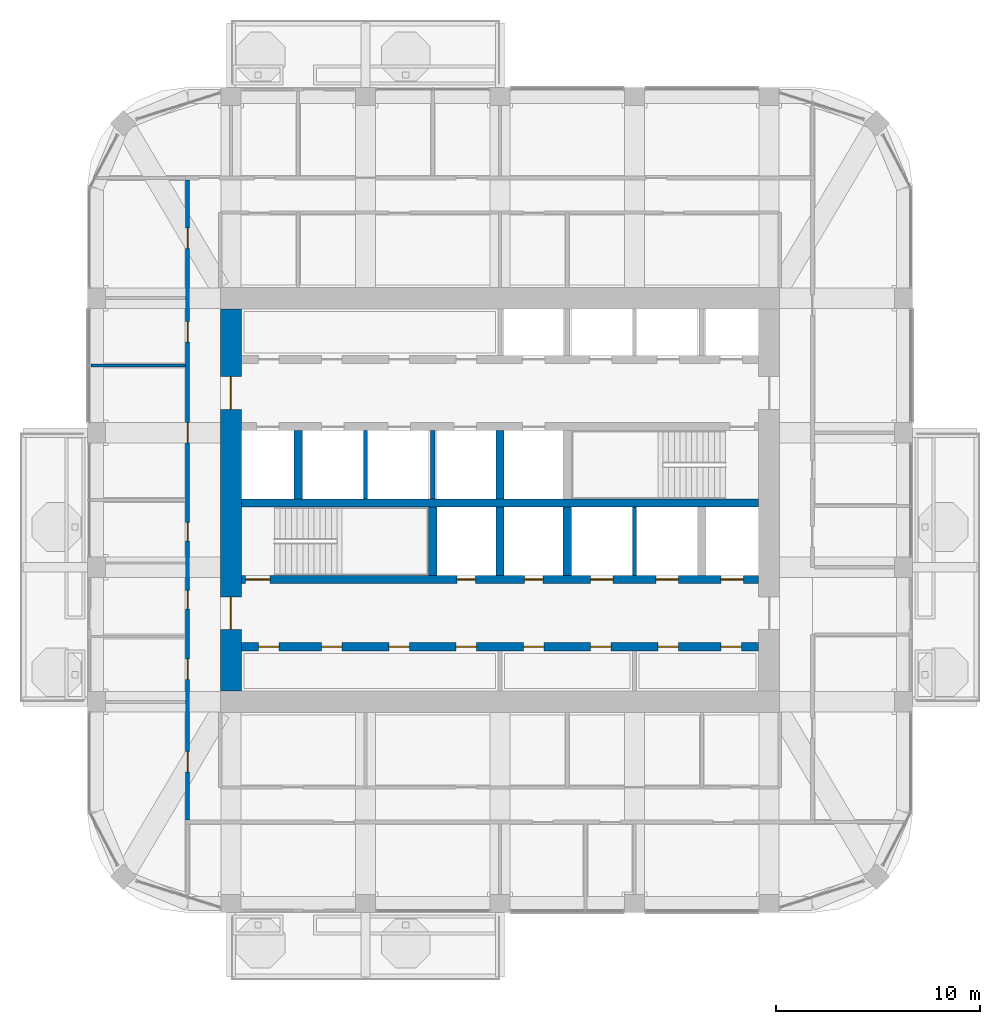
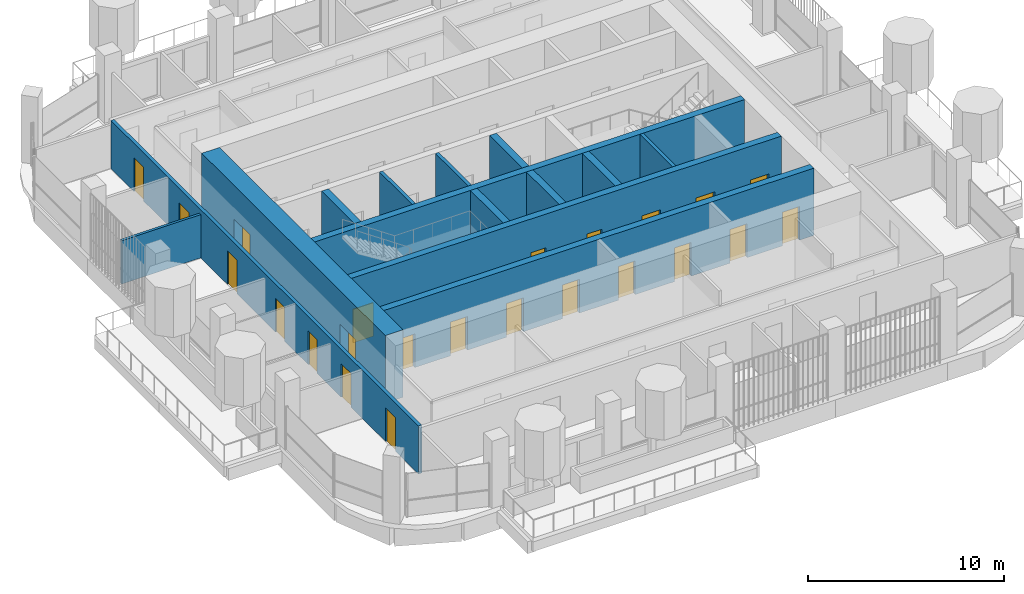
# One storey, part 12 of 18: 23 doors, 14 walls, 23 openings.
"""IFC4 building model written with IfcOpenShell, lengths in metres."""

from ifc_helpers import new_model, si_unit, direction, frame, frame_2d, origin, place, context, subcontext, project, spatial, rectangle, extrude, material, layer, layer_set, type_object, element, fill, save


model = new_model("IFC4")

# Units and contexts
model_context = context("Model", 3, precision=1e-05, world=origin(), true_north=direction((0.0, 1.0)))
body_context = subcontext(model_context, "Body", "Model", "MODEL_VIEW")
ifc_project = project(units=[si_unit("LENGTHUNIT", "METRE"), si_unit("AREAUNIT", "SQUARE_METRE"), si_unit("VOLUMEUNIT", "CUBIC_METRE"), si_unit("PLANEANGLEUNIT", "RADIAN"), si_unit("MASSUNIT", "GRAM", prefix="KILO")], contexts=[model_context])

# Site, building, storey
site_placement = place(None, origin())
site = spatial("IfcSite", under=ifc_project, at=site_placement, CompositionType="ELEMENT")
building_placement = place(site_placement, origin())
building = spatial("IfcBuilding", under=site, at=building_placement, Name="Cobogo Forest Laboratory Tower", CompositionType="ELEMENT")
storey_placement = place(building_placement, frame((0.0, 0.0, 271.199951171875)))
storey = spatial("IfcBuildingStorey", under=building, at=storey_placement, Name="L62", CompositionType="ELEMENT", Elevation=271.199951171875)

# Wall, openings, doors
ifc_material_1 = material(Name="Concrete HA-50 (C50/60)", Category="concrete")
ifc_layer_1 = layer(ifc_material_1, 0.39990234375)
ifc_layer_set_1 = layer_set([ifc_layer_1], Name="CI400 core inner wall 400")
wall_type_1 = type_object("IfcWallType", Name="CI400 core inner wall 400", PredefinedType="SHEAR", material=ifc_layer_set_1)
wall_1_placement = place(storey_placement, frame((13.72509765625, 15.89990234375, 0.0), z_axis=(0.0, 0.0, 1.0), x_axis=(1.0, 0.0, 0.0)))
wall_1 = element("IfcWall", 1, at=wall_1_placement, inside=storey, type_object=wall_type_1, Name="Core wall CI-15.9 L62", PredefinedType="SHEAR", context=body_context, shape_type="SweptSolid", body=[
    extrude(rectangle(XDim=25.349853515625, YDim=0.39990234375, at=frame_2d((12.6748046875, 0.0))), origin(), (0.0, 0.0, 1.0), 4.199951171875),
])
opening_1_placement = place(wall_1_placement, frame((0.83740234375, 0.0, 0.0)))
opening_1 = element("IfcOpeningElement", 2, at=opening_1_placement, cuts=wall_1, Name="Opening L62-D13", PredefinedType="OPENING", context=body_context, shape_type="SweptSolid", body=[
    extrude(rectangle(XDim=1.0, YDim=2.10009765625, at=frame_2d((0.5, 1.050048828125))), frame((0.0, 0.2099609375, 0.0), z_axis=(0.0, -1.0, 0.0), x_axis=(1.0, 0.0, 0.0)), (0.0, 0.0, 1.0), 0.419921875),
])
opening_2_placement = place(wall_1_placement, frame((3.925048828125, 0.0, 0.0)))
opening_2 = element("IfcOpeningElement", 3, at=opening_2_placement, cuts=wall_1, Name="Opening L62-D14", PredefinedType="OPENING", context=body_context, shape_type="SweptSolid", body=[
    extrude(rectangle(XDim=1.0, YDim=2.10009765625, at=frame_2d((0.5, 1.050048828125))), frame((0.0, 0.2099609375, 0.0), z_axis=(0.0, -1.0, 0.0), x_axis=(1.0, 0.0, 0.0)), (0.0, 0.0, 1.0), 0.419921875),
])
opening_3_placement = place(wall_1_placement, frame((7.22509765625, 0.0, 0.0)))
opening_3 = element("IfcOpeningElement", 4, at=opening_3_placement, cuts=wall_1, Name="Opening L62-D15", PredefinedType="OPENING", context=body_context, shape_type="SweptSolid", body=[
    extrude(rectangle(XDim=1.0, YDim=2.10009765625, at=frame_2d((0.5, 1.050048828125))), frame((0.0, 0.2099609375, 0.0), z_axis=(0.0, -1.0, 0.0), x_axis=(1.0, 0.0, 0.0)), (0.0, 0.0, 1.0), 0.419921875),
])
opening_4_placement = place(wall_1_placement, frame((10.52490234375, 0.0, 0.0)))
opening_4 = element("IfcOpeningElement", 5, at=opening_4_placement, cuts=wall_1, Name="Opening L62-D16", PredefinedType="OPENING", context=body_context, shape_type="SweptSolid", body=[
    extrude(rectangle(XDim=1.0, YDim=2.10009765625, at=frame_2d((0.5, 1.050048828125))), frame((0.0, 0.2099609375, 0.0), z_axis=(0.0, -1.0, 0.0), x_axis=(1.0, 0.0, 0.0)), (0.0, 0.0, 1.0), 0.419921875),
])
opening_5_placement = place(wall_1_placement, frame((13.824951171875, 0.0, 0.0)))
opening_5 = element("IfcOpeningElement", 6, at=opening_5_placement, cuts=wall_1, Name="Opening L62-D17", PredefinedType="OPENING", context=body_context, shape_type="SweptSolid", body=[
    extrude(rectangle(XDim=1.0, YDim=2.10009765625, at=frame_2d((0.5, 1.050048828125))), frame((0.0, 0.2099609375, 0.0), z_axis=(0.0, -1.0, 0.0), x_axis=(1.0, 0.0, 0.0)), (0.0, 0.0, 1.0), 0.419921875),
])
opening_6_placement = place(wall_1_placement, frame((17.125, 0.0, 0.0)))
opening_6 = element("IfcOpeningElement", 7, at=opening_6_placement, cuts=wall_1, Name="Opening L62-D18", PredefinedType="OPENING", context=body_context, shape_type="SweptSolid", body=[
    extrude(rectangle(XDim=1.0, YDim=2.10009765625, at=frame_2d((0.5, 1.050048828125))), frame((0.0, 0.2099609375, 0.0), z_axis=(0.0, -1.0, 0.0), x_axis=(1.0, 0.0, 0.0)), (0.0, 0.0, 1.0), 0.419921875),
])
opening_7_placement = place(wall_1_placement, frame((20.425048828125, 0.0, 0.0)))
opening_7 = element("IfcOpeningElement", 8, at=opening_7_placement, cuts=wall_1, Name="Opening L62-D19", PredefinedType="OPENING", context=body_context, shape_type="SweptSolid", body=[
    extrude(rectangle(XDim=1.0, YDim=2.10009765625, at=frame_2d((0.5, 1.050048828125))), frame((0.0, 0.2099609375, 0.0), z_axis=(0.0, -1.0, 0.0), x_axis=(1.0, 0.0, 0.0)), (0.0, 0.0, 1.0), 0.419921875),
])
opening_8_placement = place(wall_1_placement, frame((23.512451171875, 0.0, 0.0)))
opening_8 = element("IfcOpeningElement", 9, at=opening_8_placement, cuts=wall_1, Name="Opening L62-D20", PredefinedType="OPENING", context=body_context, shape_type="SweptSolid", body=[
    extrude(rectangle(XDim=1.0, YDim=2.10009765625, at=frame_2d((0.5, 1.050048828125))), frame((0.0, 0.2099609375, 0.0), z_axis=(0.0, -1.0, 0.0), x_axis=(1.0, 0.0, 0.0)), (0.0, 0.0, 1.0), 0.419921875),
])
ifc_material_2 = material(Name="Steel fire door", Category="steel")
door_type_1 = type_object("IfcDoorType", Name="FD1 fire door 1000 EI2 60", OperationType="SINGLE_SWING_LEFT", PredefinedType="DOOR", material=ifc_material_2)
door_1_placement = place(opening_1_placement, origin())
door_1 = element("IfcDoor", 10, at=door_1_placement, inside=storey, type_object=door_type_1, Name="Door L62-SH-LA1", OperationType="SINGLE_SWING_LEFT", OverallHeight=2.10009765625, OverallWidth=1.0, PredefinedType="DOOR", context=body_context, shape_type="SweptSolid", body=[
    extrude(rectangle(XDim=1.0, YDim=2.10009765625, at=frame_2d((0.5, 1.050048828125))), frame((0.0, 0.02490234375, 0.0), z_axis=(0.0, -1.0, 0.0), x_axis=(1.0, 0.0, 0.0)), (0.0, 0.0, 1.0), 0.050048828125),
])
fill(opening_1, door_1)
door_2_placement = place(opening_2_placement, origin())
door_2 = element("IfcDoor", 11, at=door_2_placement, inside=storey, type_object=door_type_1, Name="Door L62-SH-LA2", OperationType="SINGLE_SWING_LEFT", OverallHeight=2.10009765625, OverallWidth=1.0, PredefinedType="DOOR", context=body_context, shape_type="SweptSolid", body=[
    extrude(rectangle(XDim=1.0, YDim=2.10009765625, at=frame_2d((0.5, 1.050048828125))), frame((0.0, 0.02490234375, 0.0), z_axis=(0.0, -1.0, 0.0), x_axis=(1.0, 0.0, 0.0)), (0.0, 0.0, 1.0), 0.050048828125),
])
fill(opening_2, door_2)
door_3_placement = place(opening_3_placement, origin())
door_3 = element("IfcDoor", 12, at=door_3_placement, inside=storey, type_object=door_type_1, Name="Door L62-SH-LA3", OperationType="SINGLE_SWING_LEFT", OverallHeight=2.10009765625, OverallWidth=1.0, PredefinedType="DOOR", context=body_context, shape_type="SweptSolid", body=[
    extrude(rectangle(XDim=1.0, YDim=2.10009765625, at=frame_2d((0.5, 1.050048828125))), frame((0.0, 0.02490234375, 0.0), z_axis=(0.0, -1.0, 0.0), x_axis=(1.0, 0.0, 0.0)), (0.0, 0.0, 1.0), 0.050048828125),
])
fill(opening_3, door_3)
door_4_placement = place(opening_4_placement, origin())
door_4 = element("IfcDoor", 13, at=door_4_placement, inside=storey, type_object=door_type_1, Name="Door L62-SH-LA4", OperationType="SINGLE_SWING_LEFT", OverallHeight=2.10009765625, OverallWidth=1.0, PredefinedType="DOOR", context=body_context, shape_type="SweptSolid", body=[
    extrude(rectangle(XDim=1.0, YDim=2.10009765625, at=frame_2d((0.5, 1.050048828125))), frame((0.0, 0.02490234375, 0.0), z_axis=(0.0, -1.0, 0.0), x_axis=(1.0, 0.0, 0.0)), (0.0, 0.0, 1.0), 0.050048828125),
])
fill(opening_4, door_4)
door_5_placement = place(opening_5_placement, origin())
door_5 = element("IfcDoor", 14, at=door_5_placement, inside=storey, type_object=door_type_1, Name="Door L62-SH-LB1", OperationType="SINGLE_SWING_RIGHT", OverallHeight=2.10009765625, OverallWidth=1.0, PredefinedType="DOOR", context=body_context, shape_type="SweptSolid", body=[
    extrude(rectangle(XDim=1.0, YDim=2.10009765625, at=frame_2d((0.5, 1.050048828125))), frame((0.0, 0.02490234375, 0.0), z_axis=(0.0, -1.0, 0.0), x_axis=(1.0, 0.0, 0.0)), (0.0, 0.0, 1.0), 0.050048828125),
])
fill(opening_5, door_5)
door_6_placement = place(opening_6_placement, origin())
door_6 = element("IfcDoor", 15, at=door_6_placement, inside=storey, type_object=door_type_1, Name="Door L62-SH-LB2", OperationType="SINGLE_SWING_RIGHT", OverallHeight=2.10009765625, OverallWidth=1.0, PredefinedType="DOOR", context=body_context, shape_type="SweptSolid", body=[
    extrude(rectangle(XDim=1.0, YDim=2.10009765625, at=frame_2d((0.5, 1.050048828125))), frame((0.0, 0.02490234375, 0.0), z_axis=(0.0, -1.0, 0.0), x_axis=(1.0, 0.0, 0.0)), (0.0, 0.0, 1.0), 0.050048828125),
])
fill(opening_6, door_6)
door_7_placement = place(opening_7_placement, origin())
door_7 = element("IfcDoor", 16, at=door_7_placement, inside=storey, type_object=door_type_1, Name="Door L62-SH-LB3", OperationType="SINGLE_SWING_RIGHT", OverallHeight=2.10009765625, OverallWidth=1.0, PredefinedType="DOOR", context=body_context, shape_type="SweptSolid", body=[
    extrude(rectangle(XDim=1.0, YDim=2.10009765625, at=frame_2d((0.5, 1.050048828125))), frame((0.0, 0.02490234375, 0.0), z_axis=(0.0, -1.0, 0.0), x_axis=(1.0, 0.0, 0.0)), (0.0, 0.0, 1.0), 0.050048828125),
])
fill(opening_7, door_7)
door_8_placement = place(opening_8_placement, origin())
door_8 = element("IfcDoor", 17, at=door_8_placement, inside=storey, type_object=door_type_1, Name="Door L62-SH-LB4", OperationType="SINGLE_SWING_RIGHT", OverallHeight=2.10009765625, OverallWidth=1.0, PredefinedType="DOOR", context=body_context, shape_type="SweptSolid", body=[
    extrude(rectangle(XDim=1.0, YDim=2.10009765625, at=frame_2d((0.5, 1.050048828125))), frame((0.0, 0.02490234375, 0.0), z_axis=(0.0, -1.0, 0.0), x_axis=(1.0, 0.0, 0.0)), (0.0, 0.0, 1.0), 0.050048828125),
])
fill(opening_8, door_8)

wall_2_placement = place(storey_placement, frame((13.72509765625, 19.199951171875, 0.0), z_axis=(0.0, 0.0, 1.0), x_axis=(1.0, 0.0, 0.0)))
wall_2 = element("IfcWall", 18, at=wall_2_placement, inside=storey, type_object=wall_type_1, Name="Core wall CI-19.2 L62", PredefinedType="SHEAR", context=body_context, shape_type="SweptSolid", body=[
    extrude(rectangle(XDim=25.349853515625, YDim=0.39990234375, at=frame_2d((12.6748046875, 0.0))), origin(), (0.0, 0.0, 1.0), 4.199951171875),
])
opening_9_placement = place(wall_2_placement, frame((10.574951171875, 0.0, 0.0)))
opening_9 = element("IfcOpeningElement", 19, at=opening_9_placement, cuts=wall_2, Name="Opening L62-D27", PredefinedType="OPENING", context=body_context, shape_type="SweptSolid", body=[
    extrude(rectangle(XDim=0.89990234375, YDim=2.10009765625, at=frame_2d((0.449951171875, 1.050048828125))), frame((0.0, 0.2099609375, 0.0), z_axis=(0.0, -1.0, 0.0), x_axis=(1.0, 0.0, 0.0)), (0.0, 0.0, 1.0), 0.419921875),
])
opening_10_placement = place(wall_2_placement, frame((13.875, 0.0, 0.0)))
opening_10 = element("IfcOpeningElement", 20, at=opening_10_placement, cuts=wall_2, Name="Opening L62-D28", PredefinedType="OPENING", context=body_context, shape_type="SweptSolid", body=[
    extrude(rectangle(XDim=0.89990234375, YDim=2.10009765625, at=frame_2d((0.449951171875, 1.050048828125))), frame((0.0, 0.2099609375, 0.0), z_axis=(0.0, -1.0, 0.0), x_axis=(1.0, 0.0, 0.0)), (0.0, 0.0, 1.0), 0.419921875),
])
opening_11_placement = place(wall_2_placement, frame((0.199951171875, 0.0, 0.0)))
opening_11 = element("IfcOpeningElement", 21, at=opening_11_placement, cuts=wall_2, Name="Opening L62-D26", PredefinedType="OPENING", context=body_context, shape_type="SweptSolid", body=[
    extrude(rectangle(XDim=1.199951171875, YDim=2.10009765625, at=frame_2d((0.60009765625, 1.050048828125))), frame((0.0, 0.2099609375, 0.0), z_axis=(0.0, -1.0, 0.0), x_axis=(1.0, 0.0, 0.0)), (0.0, 0.0, 1.0), 0.419921875),
])
opening_12_placement = place(wall_2_placement, frame((23.512451171875, 0.0, 0.0)))
opening_12 = element("IfcOpeningElement", 22, at=opening_12_placement, cuts=wall_2, Name="Opening L62-LD-FL2", PredefinedType="OPENING", context=body_context, shape_type="SweptSolid", body=[
    extrude(rectangle(XDim=1.10009765625, YDim=2.10009765625, at=frame_2d((0.550048828125, 1.050048828125))), frame((0.0, 0.2099609375, 0.0), z_axis=(0.0, -1.0, 0.0), x_axis=(1.0, 0.0, 0.0)), (0.0, 0.0, 1.0), 0.419921875),
])
opening_13_placement = place(wall_2_placement, frame((17.125, 0.0, 0.0)))
opening_13 = element("IfcOpeningElement", 23, at=opening_13_placement, cuts=wall_2, Name="Opening L62-LD-LS1", PredefinedType="OPENING", context=body_context, shape_type="SweptSolid", body=[
    extrude(rectangle(XDim=1.10009765625, YDim=2.10009765625, at=frame_2d((0.550048828125, 1.050048828125))), frame((0.0, 0.2099609375, 0.0), z_axis=(0.0, -1.0, 0.0), x_axis=(1.0, 0.0, 0.0)), (0.0, 0.0, 1.0), 0.419921875),
])
opening_14_placement = place(wall_2_placement, frame((20.324951171875, 0.0, 0.0)))
opening_14 = element("IfcOpeningElement", 24, at=opening_14_placement, cuts=wall_2, Name="Opening L62-LD-LS2", PredefinedType="OPENING", context=body_context, shape_type="SweptSolid", body=[
    extrude(rectangle(XDim=1.10009765625, YDim=2.10009765625, at=frame_2d((0.550048828125, 1.050048828125))), frame((0.0, 0.2099609375, 0.0), z_axis=(0.0, -1.0, 0.0), x_axis=(1.0, 0.0, 0.0)), (0.0, 0.0, 1.0), 0.419921875),
])
door_type_2 = type_object("IfcDoorType", Name="DS1 protected stair door 1200 EI2 60", OperationType="SINGLE_SWING_LEFT", PredefinedType="DOOR", material=ifc_material_2)
door_9_placement = place(opening_11_placement, origin())
door_9 = element("IfcDoor", 25, at=door_9_placement, inside=storey, type_object=door_type_2, Name="Door L62-ST1", OperationType="SINGLE_SWING_LEFT", OverallHeight=2.10009765625, OverallWidth=1.199951171875, PredefinedType="DOOR", context=body_context, shape_type="SweptSolid", body=[
    extrude(rectangle(XDim=1.199951171875, YDim=2.10009765625, at=frame_2d((0.60009765625, 1.050048828125))), frame((0.0, 0.02490234375, 0.0), z_axis=(0.0, -1.0, 0.0), x_axis=(1.0, 0.0, 0.0)), (0.0, 0.0, 1.0), 0.050048828125),
])
fill(opening_11, door_9)
door_type_3 = type_object("IfcDoorType", Name="FD4 riser access door 900 EI2 60", OperationType="SINGLE_SWING_LEFT", PredefinedType="DOOR", material=ifc_material_2)
door_10_placement = place(opening_9_placement, origin())
door_10 = element("IfcDoor", 26, at=door_10_placement, inside=storey, type_object=door_type_3, Name="Door L62-R1", OperationType="SINGLE_SWING_LEFT", OverallHeight=2.10009765625, OverallWidth=0.89990234375, PredefinedType="DOOR", context=body_context, shape_type="SweptSolid", body=[
    extrude(rectangle(XDim=0.89990234375, YDim=2.10009765625, at=frame_2d((0.449951171875, 1.050048828125))), frame((0.0, 0.02490234375, 0.0), z_axis=(0.0, -1.0, 0.0), x_axis=(1.0, 0.0, 0.0)), (0.0, 0.0, 1.0), 0.050048828125),
])
fill(opening_9, door_10)
door_11_placement = place(opening_10_placement, origin())
door_11 = element("IfcDoor", 27, at=door_11_placement, inside=storey, type_object=door_type_3, Name="Door L62-R2", OperationType="SINGLE_SWING_RIGHT", OverallHeight=2.10009765625, OverallWidth=0.89990234375, PredefinedType="DOOR", context=body_context, shape_type="SweptSolid", body=[
    extrude(rectangle(XDim=0.89990234375, YDim=2.10009765625, at=frame_2d((0.449951171875, 1.050048828125))), frame((0.0, 0.02490234375, 0.0), z_axis=(0.0, -1.0, 0.0), x_axis=(1.0, 0.0, 0.0)), (0.0, 0.0, 1.0), 0.050048828125),
])
fill(opening_10, door_11)
ifc_material_3 = material(Name="Stainless steel lift door", Category="steel")
door_type_4 = type_object("IfcDoorType", Name="LD lift landing door 1100", OperationType="DOUBLE_DOOR_SLIDING", PredefinedType="DOOR", material=ifc_material_3)
door_12_placement = place(opening_12_placement, origin())
door_12 = element("IfcDoor", 28, at=door_12_placement, inside=storey, type_object=door_type_4, Name="Lift landing door FL2 L62", OperationType="DOUBLE_DOOR_SLIDING", OverallHeight=2.10009765625, OverallWidth=1.10009765625, PredefinedType="DOOR", context=body_context, shape_type="SweptSolid", body=[
    extrude(rectangle(XDim=1.10009765625, YDim=2.10009765625, at=frame_2d((0.550048828125, 1.050048828125))), frame((0.0, 0.02490234375, 0.0), z_axis=(0.0, -1.0, 0.0), x_axis=(1.0, 0.0, 0.0)), (0.0, 0.0, 1.0), 0.050048828125),
])
fill(opening_12, door_12)
door_13_placement = place(opening_13_placement, origin())
door_13 = element("IfcDoor", 29, at=door_13_placement, inside=storey, type_object=door_type_4, Name="Lift landing door LS1 L62", OperationType="DOUBLE_DOOR_SLIDING", OverallHeight=2.10009765625, OverallWidth=1.10009765625, PredefinedType="DOOR", context=body_context, shape_type="SweptSolid", body=[
    extrude(rectangle(XDim=1.10009765625, YDim=2.10009765625, at=frame_2d((0.550048828125, 1.050048828125))), frame((0.0, 0.02490234375, 0.0), z_axis=(0.0, -1.0, 0.0), x_axis=(1.0, 0.0, 0.0)), (0.0, 0.0, 1.0), 0.050048828125),
])
fill(opening_13, door_13)
door_14_placement = place(opening_14_placement, origin())
door_14 = element("IfcDoor", 30, at=door_14_placement, inside=storey, type_object=door_type_4, Name="Lift landing door LS2 L62", OperationType="DOUBLE_DOOR_SLIDING", OverallHeight=2.10009765625, OverallWidth=1.10009765625, PredefinedType="DOOR", context=body_context, shape_type="SweptSolid", body=[
    extrude(rectangle(XDim=1.10009765625, YDim=2.10009765625, at=frame_2d((0.550048828125, 1.050048828125))), frame((0.0, 0.02490234375, 0.0), z_axis=(0.0, -1.0, 0.0), x_axis=(1.0, 0.0, 0.0)), (0.0, 0.0, 1.0), 0.050048828125),
])
fill(opening_14, door_14)

# Walls
wall_3_placement = place(storey_placement, frame((13.72509765625, 22.949951171875, 0.0), z_axis=(0.0, 0.0, 1.0), x_axis=(1.0, 0.0, 0.0)))
element("IfcWall", 31, at=wall_3_placement, inside=storey, type_object=wall_type_1, Name="Core wall CI-22.95 L62", PredefinedType="SHEAR", context=body_context, shape_type="SweptSolid", body=[
    extrude(rectangle(XDim=25.349853515625, YDim=0.39990234375, at=frame_2d((12.6748046875, 0.0))), origin(), (0.0, 0.0, 1.0), 4.199951171875),
])
for number, where, z_axis, x_axis, name in (
    (32, (23.10009765625, 19.39990234375, 0.0), (0.0, 0.0, 1.0), (0.0, 1.0, 0.0), "Core wall CX-23.1 L62"),
    (33, (26.39990234375, 19.39990234375, 0.0), (0.0, 0.0, 1.0), (0.0, 1.0, 0.0), "Core wall CX-26.4S L62"),
    (34, (29.699951171875, 19.39990234375, 0.0), (0.0, 0.0, 1.0), (0.0, 1.0, 0.0), "Core wall CX-29.7S L62"),
    (35, (16.5, 23.14990234375, 0.0), (0.0, 0.0, 1.0), (0.0, 1.0, 0.0), "Core wall CX-16.5 L62"),
    (36, (26.39990234375, 23.14990234375, 0.0), (0.0, 0.0, 1.0), (0.0, 1.0, 0.0), "Core wall CX-26.4N L62"),
):
    element("IfcWall", number, at=place(storey_placement, frame(where, z_axis=z_axis, x_axis=x_axis)), inside=storey, type_object=wall_type_1, Name=name, PredefinedType="SHEAR", context=body_context, shape_type="SweptSolid", body=[
        extrude(rectangle(XDim=3.35009765625, YDim=0.39990234375, at=frame_2d((1.675048828125, 0.0))), origin(), (0.0, 0.0, 1.0), 4.199951171875),
    ])

# Wall, openings, doors
ifc_layer_2 = layer(ifc_material_1, 1.050048828125)
ifc_layer_set_2 = layer_set([ifc_layer_2], Name="CW1050 core outer wall 1050")
wall_type_2 = type_object("IfcWallType", Name="CW1050 core outer wall 1050", PredefinedType="SHEAR", material=ifc_layer_set_2)
wall_4_placement = place(storey_placement, frame((13.199951171875, 32.47509765625, 0.0), z_axis=(0.0, 0.0, 1.0), x_axis=(0.0, -1.0, 0.0)))
wall_4 = element("IfcWall", 37, at=wall_4_placement, inside=storey, type_object=wall_type_2, Name="Core wall CO-W L62", PredefinedType="SHEAR", context=body_context, shape_type="SweptSolid", body=[
    extrude(rectangle(XDim=18.75, YDim=1.050048828125, at=frame_2d((9.375, 0.0))), origin(), (0.0, 0.0, 1.0), 4.199951171875),
])
opening_15_placement = place(wall_4_placement, frame((14.125, 0.0, 0.0)))
opening_15 = element("IfcOpeningElement", 38, at=opening_15_placement, cuts=wall_4, Name="Opening L62-D23", PredefinedType="OPENING", context=body_context, shape_type="SweptSolid", body=[
    extrude(rectangle(XDim=1.60009765625, YDim=2.10009765625, at=frame_2d((0.800048828125, 1.050048828125))), frame((0.0, 0.534912109375, 0.0), z_axis=(0.0, -1.0, 0.0), x_axis=(1.0, 0.0, 0.0)), (0.0, 0.0, 1.0), 1.070068359375),
])
opening_16_placement = place(wall_4_placement, frame((3.324951171875, 0.0, 0.0)))
opening_16 = element("IfcOpeningElement", 39, at=opening_16_placement, cuts=wall_4, Name="Opening L62-D34", PredefinedType="OPENING", context=body_context, shape_type="SweptSolid", body=[
    extrude(rectangle(XDim=1.60009765625, YDim=2.10009765625, at=frame_2d((0.800048828125, 1.050048828125))), frame((0.0, 0.534912109375, 0.0), z_axis=(0.0, -1.0, 0.0), x_axis=(1.0, 0.0, 0.0)), (0.0, 0.0, 1.0), 1.070068359375),
])
door_type_5 = type_object("IfcDoorType", Name="DS2 protected lobby door pair 1600 EI2 60", OperationType="DOUBLE_DOOR_DOUBLE_SWING", PredefinedType="DOOR", material=ifc_material_2)
door_15_placement = place(opening_15_placement, origin())
door_15 = element("IfcDoor", 40, at=door_15_placement, inside=storey, type_object=door_type_5, Name="Door L62-CO-W-S", OperationType="DOUBLE_DOOR_DOUBLE_SWING", OverallHeight=2.10009765625, OverallWidth=1.60009765625, PredefinedType="DOOR", context=body_context, shape_type="SweptSolid", body=[
    extrude(rectangle(XDim=1.60009765625, YDim=2.10009765625, at=frame_2d((0.800048828125, 1.050048828125))), frame((0.0, 0.02490234375, 0.0), z_axis=(0.0, -1.0, 0.0), x_axis=(1.0, 0.0, 0.0)), (0.0, 0.0, 1.0), 0.050048828125),
])
fill(opening_15, door_15)
door_16_placement = place(opening_16_placement, origin())
door_16 = element("IfcDoor", 41, at=door_16_placement, inside=storey, type_object=door_type_5, Name="Door L62-CO-W-N", OperationType="DOUBLE_DOOR_DOUBLE_SWING", OverallHeight=2.10009765625, OverallWidth=1.60009765625, PredefinedType="DOOR", context=body_context, shape_type="SweptSolid", body=[
    extrude(rectangle(XDim=1.60009765625, YDim=2.10009765625, at=frame_2d((0.800048828125, 1.050048828125))), frame((0.0, 0.02490234375, 0.0), z_axis=(0.0, -1.0, 0.0), x_axis=(1.0, 0.0, 0.0)), (0.0, 0.0, 1.0), 0.050048828125),
])
fill(opening_16, door_16)

# Wall
ifc_material_4 = material(Name="Gypsum board on steel studs", Category="steel")
ifc_layer_3 = layer(ifc_material_4, 0.14990234375)
ifc_layer_set_3 = layer_set([ifc_layer_3], Name="PT1 laboratory partition 150")
wall_type_3 = type_object("IfcWallType", Name="PT1 laboratory partition 150", PredefinedType="PARTITIONING", material=ifc_layer_set_3)
wall_5_placement = place(storey_placement, frame((6.330078125, 29.699951171875, 0.0), z_axis=(0.0, 0.0, 1.0), x_axis=(1.0, 0.0, 0.0)))
element("IfcWall", 42, at=wall_5_placement, inside=storey, type_object=wall_type_3, Name="Partition CUT-W29.7-1 L62", PredefinedType="PARTITIONING", context=body_context, shape_type="SweptSolid", body=[
    extrude(rectangle(XDim=4.64501953125, YDim=0.14990234375, at=frame_2d((2.322509765625, 0.0))), origin(), (0.0, 0.0, 1.0), 2.699951171875),
])

# Wall, openings, doors
ifc_layer_4 = layer(ifc_material_4, 0.199951171875)
ifc_layer_set_4 = layer_set([ifc_layer_4], Name="PT2 fire-rated corridor partition 200")
wall_type_4 = type_object("IfcWallType", Name="PT2 fire-rated corridor partition 200", PredefinedType="PARTITIONING", material=ifc_layer_set_4)
wall_6_placement = place(storey_placement, frame((11.074951171875, 7.39990234375, 0.0), z_axis=(0.0, 0.0, 1.0), x_axis=(0.0, 1.0, 0.0)))
wall_6 = element("IfcWall", 43, at=wall_6_placement, inside=storey, type_object=wall_type_4, Name="Partition CORR-W L62", PredefinedType="PARTITIONING", context=body_context, shape_type="SweptSolid", body=[
    extrude(rectangle(XDim=31.400146484375, YDim=0.199951171875, at=frame_2d((15.7001953125, 0.0))), origin(), (0.0, 0.0, 1.0), 3.0),
])
opening_17_placement = place(wall_6_placement, frame((2.35009765625, 0.0, 0.0)))
opening_17 = element("IfcOpeningElement", 44, at=opening_17_placement, cuts=wall_6, Name="Opening L62-D10", PredefinedType="OPENING", context=body_context, shape_type="SweptSolid", body=[
    extrude(rectangle(XDim=1.0, YDim=2.10009765625, at=frame_2d((0.5, 1.050048828125))), frame((0.0, 0.10986328125, 0.0), z_axis=(0.0, -1.0, 0.0), x_axis=(1.0, 0.0, 0.0)), (0.0, 0.0, 1.0), 0.219970703125),
])
opening_18_placement = place(wall_6_placement, frame((6.89990234375, 0.0, 0.0)))
opening_18 = element("IfcOpeningElement", 45, at=opening_18_placement, cuts=wall_6, Name="Opening L62-D12", PredefinedType="OPENING", context=body_context, shape_type="SweptSolid", body=[
    extrude(rectangle(XDim=1.0, YDim=2.10009765625, at=frame_2d((0.5, 1.050048828125))), frame((0.0, 0.10986328125, 0.0), z_axis=(0.0, -1.0, 0.0), x_axis=(1.0, 0.0, 0.0)), (0.0, 0.0, 1.0), 0.219970703125),
])
opening_19_placement = place(wall_6_placement, frame((10.35009765625, 0.0, 0.0)))
opening_19 = element("IfcOpeningElement", 46, at=opening_19_placement, cuts=wall_6, Name="Opening L62-D25", PredefinedType="OPENING", context=body_context, shape_type="SweptSolid", body=[
    extrude(rectangle(XDim=0.89990234375, YDim=2.10009765625, at=frame_2d((0.449951171875, 1.050048828125))), frame((0.0, 0.10986328125, 0.0), z_axis=(0.0, -1.0, 0.0), x_axis=(1.0, 0.0, 0.0)), (0.0, 0.0, 1.0), 0.219970703125),
])
opening_20_placement = place(wall_6_placement, frame((13.699951171875, 0.0, 0.0)))
opening_20 = element("IfcOpeningElement", 47, at=opening_20_placement, cuts=wall_6, Name="Opening L62-D30", PredefinedType="OPENING", context=body_context, shape_type="SweptSolid", body=[
    extrude(rectangle(XDim=0.89990234375, YDim=2.10009765625, at=frame_2d((0.449951171875, 1.050048828125))), frame((0.0, 0.10986328125, 0.0), z_axis=(0.0, -1.0, 0.0), x_axis=(1.0, 0.0, 0.0)), (0.0, 0.0, 1.0), 0.219970703125),
])
opening_21_placement = place(wall_6_placement, frame((18.5, 0.0, 0.0)))
opening_21 = element("IfcOpeningElement", 48, at=opening_21_placement, cuts=wall_6, Name="Opening L62-D32", PredefinedType="OPENING", context=body_context, shape_type="SweptSolid", body=[
    extrude(rectangle(XDim=1.0, YDim=2.10009765625, at=frame_2d((0.5, 1.050048828125))), frame((0.0, 0.10986328125, 0.0), z_axis=(0.0, -1.0, 0.0), x_axis=(1.0, 0.0, 0.0)), (0.0, 0.0, 1.0), 0.219970703125),
])
opening_22_placement = place(wall_6_placement, frame((23.449951171875, 0.0, 0.0)))
opening_22 = element("IfcOpeningElement", 49, at=opening_22_placement, cuts=wall_6, Name="Opening L62-D40", PredefinedType="OPENING", context=body_context, shape_type="SweptSolid", body=[
    extrude(rectangle(XDim=1.0, YDim=2.10009765625, at=frame_2d((0.5, 1.050048828125))), frame((0.0, 0.10986328125, 0.0), z_axis=(0.0, -1.0, 0.0), x_axis=(1.0, 0.0, 0.0)), (0.0, 0.0, 1.0), 0.219970703125),
])
opening_23_placement = place(wall_6_placement, frame((28.050048828125, 0.0, 0.0)))
opening_23 = element("IfcOpeningElement", 50, at=opening_23_placement, cuts=wall_6, Name="Opening L62-D42", PredefinedType="OPENING", context=body_context, shape_type="SweptSolid", body=[
    extrude(rectangle(XDim=1.0, YDim=2.10009765625, at=frame_2d((0.5, 1.050048828125))), frame((0.0, 0.10986328125, 0.0), z_axis=(0.0, -1.0, 0.0), x_axis=(1.0, 0.0, 0.0)), (0.0, 0.0, 1.0), 0.219970703125),
])
ifc_material_5 = material(Name="Timber fire door", Category="wood")
door_type_6 = type_object("IfcDoorType", Name="FD2 fire door 1000 EI2 30", OperationType="SINGLE_SWING_LEFT", PredefinedType="DOOR", material=ifc_material_5)
door_17_placement = place(opening_17_placement, origin())
door_17 = element("IfcDoor", 51, at=door_17_placement, inside=storey, type_object=door_type_6, Name="Door L62-W1", OperationType="SINGLE_SWING_LEFT", OverallHeight=2.10009765625, OverallWidth=1.0, PredefinedType="DOOR", context=body_context, shape_type="SweptSolid", body=[
    extrude(rectangle(XDim=1.0, YDim=2.10009765625, at=frame_2d((0.5, 1.050048828125))), frame((0.0, 0.02490234375, 0.0), z_axis=(0.0, -1.0, 0.0), x_axis=(1.0, 0.0, 0.0)), (0.0, 0.0, 1.0), 0.050048828125),
])
fill(opening_17, door_17)
door_18_placement = place(opening_21_placement, origin())
door_18 = element("IfcDoor", 52, at=door_18_placement, inside=storey, type_object=door_type_6, Name="Door L62-W2", OperationType="SINGLE_SWING_RIGHT", OverallHeight=2.10009765625, OverallWidth=1.0, PredefinedType="DOOR", context=body_context, shape_type="SweptSolid", body=[
    extrude(rectangle(XDim=1.0, YDim=2.10009765625, at=frame_2d((0.5, 1.050048828125))), frame((0.0, 0.02490234375, 0.0), z_axis=(0.0, -1.0, 0.0), x_axis=(1.0, 0.0, 0.0)), (0.0, 0.0, 1.0), 0.050048828125),
])
fill(opening_21, door_18)
door_19_placement = place(opening_22_placement, origin())
door_19 = element("IfcDoor", 53, at=door_19_placement, inside=storey, type_object=door_type_6, Name="Door L62-W3", OperationType="SINGLE_SWING_RIGHT", OverallHeight=2.10009765625, OverallWidth=1.0, PredefinedType="DOOR", context=body_context, shape_type="SweptSolid", body=[
    extrude(rectangle(XDim=1.0, YDim=2.10009765625, at=frame_2d((0.5, 1.050048828125))), frame((0.0, 0.02490234375, 0.0), z_axis=(0.0, -1.0, 0.0), x_axis=(1.0, 0.0, 0.0)), (0.0, 0.0, 1.0), 0.050048828125),
])
fill(opening_22, door_19)
door_20_placement = place(opening_23_placement, origin())
door_20 = element("IfcDoor", 54, at=door_20_placement, inside=storey, type_object=door_type_6, Name="Door L62-W4", OperationType="SINGLE_SWING_RIGHT", OverallHeight=2.10009765625, OverallWidth=1.0, PredefinedType="DOOR", context=body_context, shape_type="SweptSolid", body=[
    extrude(rectangle(XDim=1.0, YDim=2.10009765625, at=frame_2d((0.5, 1.050048828125))), frame((0.0, 0.02490234375, 0.0), z_axis=(0.0, -1.0, 0.0), x_axis=(1.0, 0.0, 0.0)), (0.0, 0.0, 1.0), 0.050048828125),
])
fill(opening_23, door_20)
door_type_7 = type_object("IfcDoorType", Name="FD3 toilet fire door 900 EI2 30", OperationType="SINGLE_SWING_LEFT", PredefinedType="DOOR", material=ifc_material_5)
door_21_placement = place(opening_19_placement, origin())
door_21 = element("IfcDoor", 55, at=door_21_placement, inside=storey, type_object=door_type_7, Name="Door L62-WCF", OperationType="SINGLE_SWING_LEFT", OverallHeight=2.10009765625, OverallWidth=0.89990234375, PredefinedType="DOOR", context=body_context, shape_type="SweptSolid", body=[
    extrude(rectangle(XDim=0.89990234375, YDim=2.10009765625, at=frame_2d((0.449951171875, 1.050048828125))), frame((0.0, 0.02490234375, 0.0), z_axis=(0.0, -1.0, 0.0), x_axis=(1.0, 0.0, 0.0)), (0.0, 0.0, 1.0), 0.050048828125),
])
fill(opening_19, door_21)
door_22_placement = place(opening_20_placement, origin())
door_22 = element("IfcDoor", 56, at=door_22_placement, inside=storey, type_object=door_type_7, Name="Door L62-WCM", OperationType="SINGLE_SWING_LEFT", OverallHeight=2.10009765625, OverallWidth=0.89990234375, PredefinedType="DOOR", context=body_context, shape_type="SweptSolid", body=[
    extrude(rectangle(XDim=0.89990234375, YDim=2.10009765625, at=frame_2d((0.449951171875, 1.050048828125))), frame((0.0, 0.02490234375, 0.0), z_axis=(0.0, -1.0, 0.0), x_axis=(1.0, 0.0, 0.0)), (0.0, 0.0, 1.0), 0.050048828125),
])
fill(opening_20, door_22)
door_type_8 = type_object("IfcDoorType", Name="FDA1 accessible toilet fire door 1000 EI2 30", OperationType="SINGLE_SWING_RIGHT", PredefinedType="DOOR", material=ifc_material_5)
door_23_placement = place(opening_18_placement, origin())
door_23 = element("IfcDoor", 57, at=door_23_placement, inside=storey, type_object=door_type_8, Name="Door L62-WCA", OperationType="SINGLE_SWING_LEFT", OverallHeight=2.10009765625, OverallWidth=1.0, PredefinedType="DOOR", context=body_context, shape_type="SweptSolid", body=[
    extrude(rectangle(XDim=1.0, YDim=2.10009765625, at=frame_2d((0.5, 1.050048828125))), frame((0.0, 0.02490234375, 0.0), z_axis=(0.0, -1.0, 0.0), x_axis=(1.0, 0.0, 0.0)), (0.0, 0.0, 1.0), 0.050048828125),
])
fill(opening_18, door_23)

# Walls
ifc_material_6 = material(Name="Concrete block", Category="concrete")
ifc_layer_5 = layer(ifc_material_6, 0.199951171875)
ifc_layer_set_5 = layer_set([ifc_layer_5], Name="SW200 lift shaft separator 200")
wall_type_5 = type_object("IfcWallType", Name="SW200 lift shaft separator 200", PredefinedType="PARTITIONING", material=ifc_layer_set_5)
for number, where, z_axis, x_axis, name in (
    (58, (33.0, 19.39990234375, 0.0), (0.0, 0.0, 1.0), (0.0, 1.0, 0.0), "Core wall SEP-M33.0 L62"),
    (59, (19.800048828125, 23.14990234375, 0.0), (0.0, 0.0, 1.0), (0.0, 1.0, 0.0), "Core wall SEP-M19.8 L62"),
    (60, (23.10009765625, 23.14990234375, 0.0), (0.0, 0.0, 1.0), (0.0, 1.0, 0.0), "Core wall SEP-M23.1 L62"),
):
    element("IfcWall", number, at=place(storey_placement, frame(where, z_axis=z_axis, x_axis=x_axis)), inside=storey, type_object=wall_type_5, Name=name, PredefinedType="PARTITIONING", context=body_context, shape_type="SweptSolid", body=[
        extrude(rectangle(XDim=3.35009765625, YDim=0.199951171875, at=frame_2d((1.675048828125, 0.0))), origin(), (0.0, 0.0, 1.0), 4.199951171875),
    ])

save(model, "model.ifc")
